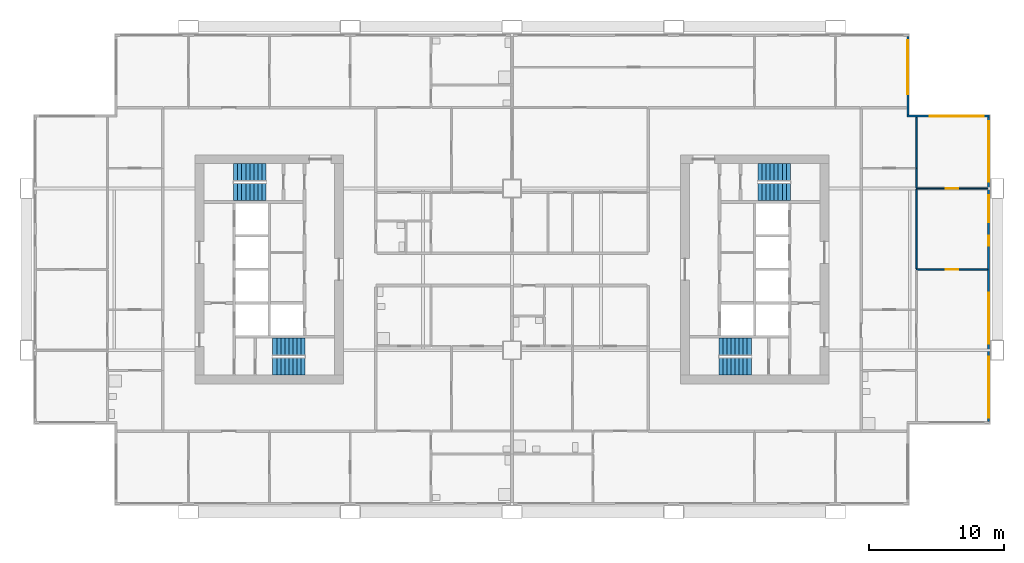
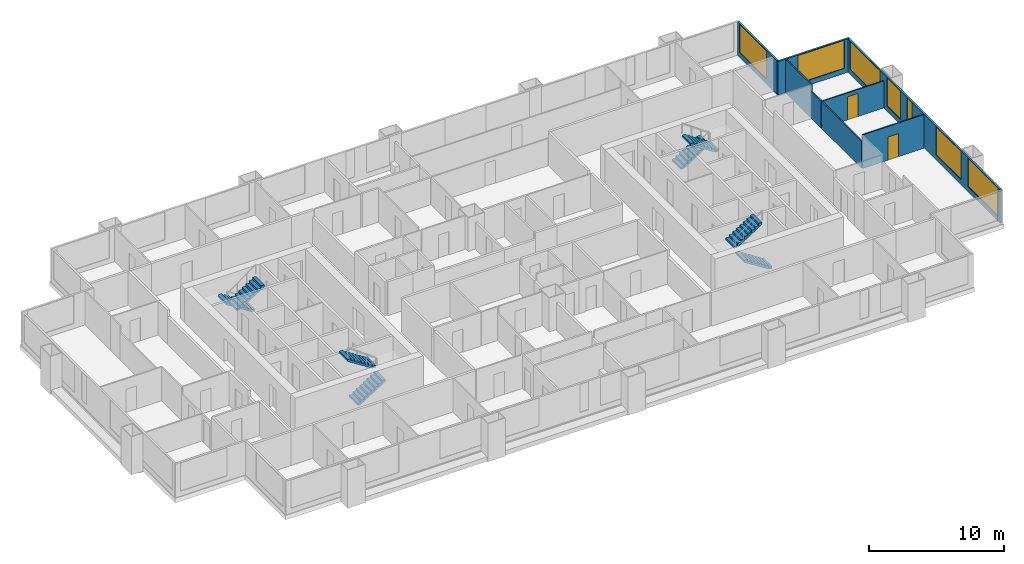
# One storey, part 9 of 11: 8 stair flights, 8 walls, 7 windows, 2 doors, 9 openings, 4 elements without a shape of their own.
"""IFC4 building model written with IfcOpenShell, lengths in metres."""

from ifc_helpers import new_model, si_unit, direction, frame, frame_2d, origin, place, context, subcontext, project, spatial, polyline, rectangle, outline, extrude, material, layer, layer_set, type_object, element, fill, aggregate, save


model = new_model("IFC4")

# Units and contexts
model_context = context("Model", 3, precision=1e-05, world=origin(), true_north=direction((0.0, 1.0)))
body_context = subcontext(model_context, "Body", "Model", "MODEL_VIEW")
ifc_project = project(units=[si_unit("LENGTHUNIT", "METRE"), si_unit("AREAUNIT", "SQUARE_METRE"), si_unit("VOLUMEUNIT", "CUBIC_METRE"), si_unit("PLANEANGLEUNIT", "RADIAN"), si_unit("MASSUNIT", "GRAM", prefix="KILO")], contexts=[model_context])

# Site, building, storey
site_placement = place(None, origin())
site = spatial("IfcSite", under=ifc_project, at=site_placement, CompositionType="ELEMENT")
building_placement = place(site_placement, origin())
building = spatial("IfcBuilding", under=site, at=building_placement, Name="Kitamizu Gate Tower and Museum", CompositionType="ELEMENT")
storey_placement = place(building_placement, frame((0.0, 0.0, 103.5)))
storey = spatial("IfcBuildingStorey", under=building, at=storey_placement, Name="L26", CompositionType="ELEMENT", Elevation=103.5)

# Wall, opening, door
ifc_material_1 = material(Name="Gypsum board on galvanised stud")
ifc_layer_1 = layer(ifc_material_1, 0.10009765625)
ifc_layer_set_1 = layer_set([ifc_layer_1], Name="Gypsum board on galvanised stud")
wall_type_1 = type_object("IfcWallType", Name="Partition 100 NOT RATED", PredefinedType="PARTITIONING", material=ifc_layer_set_1)
wall_1_placement = place(storey_placement, frame((71.280029296875, 30.0, 0.0), z_axis=(0.0, 0.0, 1.0), x_axis=(-1.0, 0.0, 0.0)))
wall_1 = element("IfcWall", 1, at=wall_1_placement, inside=storey, type_object=wall_type_1, Name="Partition L26-074", PredefinedType="PARTITIONING", context=body_context, shape_type="SweptSolid", body=[
    extrude(rectangle(XDim=5.280029296875, YDim=0.10009765625, at=frame_2d((2.64013671875, 0.0))), origin(), (0.0, 0.0, 1.0), 3.050048828125),
])
opening_1_placement = place(wall_1_placement, frame((2.18994140625, 0.0, 0.0)))
opening_1 = element("IfcOpeningElement", 2, at=opening_1_placement, cuts=wall_1, Name="Opening L26-032", PredefinedType="OPENING", context=body_context, shape_type="SweptSolid", body=[
    extrude(rectangle(XDim=0.89990234375, YDim=2.10009765625, at=frame_2d((0.449951171875, 1.050048828125))), frame((0.0, 0.06005859375, 0.0), z_axis=(0.0, -1.0, 0.0), x_axis=(1.0, 0.0, 0.0)), (0.0, 0.0, 1.0), 0.1201171875),
])
ifc_material_2 = material(Name="Timber door set", Category="wood")
door_type = type_object("IfcDoorType", Name="Room door 900", OperationType="NOTDEFINED", PredefinedType="DOOR", material=ifc_material_2)
door_1_placement = place(opening_1_placement, frame((0.89990234375, 0.0, 0.0), x_axis=(-1.0, 0.0, 0.0)))
door_1 = element("IfcDoor", 3, at=door_1_placement, inside=storey, type_object=door_type, Name="Door L26-032", OperationType="SINGLE_SWING_LEFT", OverallHeight=2.10009765625, OverallWidth=0.89990234375, PredefinedType="DOOR", context=body_context, shape_type="SweptSolid", body=[
    extrude(rectangle(XDim=0.89990234375, YDim=2.10009765625, at=frame_2d((0.449951171875, 1.050048828125))), frame((0.0, 0.02490234375, 0.0), z_axis=(0.0, -1.0, 0.0), x_axis=(1.0, 0.0, 0.0)), (0.0, 0.0, 1.0), 0.050048828125),
])
fill(opening_1, door_1)

wall_2_placement = place(storey_placement, frame((71.280029296875, 36.0, 0.0), z_axis=(0.0, 0.0, 1.0), x_axis=(-1.0, 0.0, 0.0)))
wall_2 = element("IfcWall", 4, at=wall_2_placement, inside=storey, type_object=wall_type_1, Name="Partition L26-079", PredefinedType="PARTITIONING", context=body_context, shape_type="SweptSolid", body=[
    extrude(rectangle(XDim=5.280029296875, YDim=0.10009765625, at=frame_2d((2.64013671875, 0.0))), origin(), (0.0, 0.0, 1.0), 2.449951171875),
])
opening_2_placement = place(wall_2_placement, frame((2.18994140625, 0.0, 0.0)))
opening_2 = element("IfcOpeningElement", 5, at=opening_2_placement, cuts=wall_2, Name="Opening L26-034", PredefinedType="OPENING", context=body_context, shape_type="SweptSolid", body=[
    extrude(rectangle(XDim=0.89990234375, YDim=2.10009765625, at=frame_2d((0.449951171875, 1.050048828125))), frame((0.0, 0.06005859375, 0.0), z_axis=(0.0, -1.0, 0.0), x_axis=(1.0, 0.0, 0.0)), (0.0, 0.0, 1.0), 0.1201171875),
])
door_2_placement = place(opening_2_placement, frame((0.89990234375, 0.0, 0.0), x_axis=(-1.0, 0.0, 0.0)))
door_2 = element("IfcDoor", 6, at=door_2_placement, inside=storey, type_object=door_type, Name="Door L26-034", OperationType="SINGLE_SWING_LEFT", OverallHeight=2.10009765625, OverallWidth=0.89990234375, PredefinedType="DOOR", context=body_context, shape_type="SweptSolid", body=[
    extrude(rectangle(XDim=0.89990234375, YDim=2.10009765625, at=frame_2d((0.449951171875, 1.050048828125))), frame((0.0, 0.02490234375, 0.0), z_axis=(0.0, -1.0, 0.0), x_axis=(1.0, 0.0, 0.0)), (0.0, 0.0, 1.0), 0.050048828125),
])
fill(opening_2, door_2)

# Walls
wall_3_placement = place(storey_placement, frame((66.0, 35.949951171875, 0.0), z_axis=(0.0, 0.0, 1.0), x_axis=(0.0, -1.0, 0.0)))
element("IfcWall", 7, at=wall_3_placement, inside=storey, type_object=wall_type_1, Name="Partition L26-080", PredefinedType="PARTITIONING", context=body_context, shape_type="SweptSolid", body=[
    extrude(rectangle(XDim=5.89990234375, YDim=0.10009765625, at=frame_2d((2.949951171875, 0.0))), origin(), (0.0, 0.0, 1.0), 2.449951171875),
])
wall_4_placement = place(storey_placement, frame((66.0, 37.5, 0.0), z_axis=(0.0, 0.0, 1.0), x_axis=(0.0, -1.0, 0.0)))
element("IfcWall", 8, at=wall_4_placement, inside=storey, type_object=wall_type_1, Name="Partition L26-081", PredefinedType="PARTITIONING", context=body_context, shape_type="SweptSolid", body=[
    extrude(rectangle(XDim=1.449951171875, YDim=0.10009765625, at=frame_2d((0.72509765625, 0.0))), origin(), (0.0, 0.0, 1.0), 2.449951171875),
])
wall_5_placement = place(storey_placement, frame((66.0, 41.280029296875, 0.0), z_axis=(0.0, 0.0, 1.0), x_axis=(0.0, -1.0, 0.0)))
element("IfcWall", 9, at=wall_5_placement, inside=storey, type_object=wall_type_1, Name="Partition L26-082", PredefinedType="PARTITIONING", context=body_context, shape_type="SweptSolid", body=[
    extrude(rectangle(XDim=3.780029296875, YDim=0.10009765625, at=frame_2d((1.89013671875, 0.0))), origin(), (0.0, 0.0, 1.0), 3.050048828125),
])

# Wall, openings, windows
ifc_material_3 = material(Name="Bronze anodised aluminium frame with insulated spandrel and tinted glass", Category="aluminium")
ifc_layer_2 = layer(ifc_material_3, 0.14990234375)
ifc_layer_set_2 = layer_set([ifc_layer_2], Name="Bronze anodised aluminium frame with insulated spandrel and tinted glass")
wall_type_2 = type_object("IfcWallType", Name="WINDOW WALL 150 BRONZE FRAME EI 30", PredefinedType="ELEMENTEDWALL", material=ifc_layer_set_2)
wall_6_placement = place(storey_placement, frame((71.364990234375, 18.7099609375, 0.0), z_axis=(0.0, 0.0, 1.0), x_axis=(0.0, 1.0, 0.0)))
wall_6 = element("IfcWall", 10, at=wall_6_placement, inside=storey, type_object=wall_type_2, Name="Window wall east L26", PredefinedType="ELEMENTEDWALL", context=body_context, shape_type="SweptSolid", body=[
    extrude(rectangle(XDim=22.580078125, YDim=0.14990234375, at=frame_2d((11.2900390625, 0.0))), origin(), (0.0, 0.0, 1.0), 3.050048828125),
])
opening_3_placement = place(wall_6_placement, frame((0.2900390625, 0.0, 0.449951171875)))
opening_3 = element("IfcOpeningElement", 11, at=opening_3_placement, cuts=wall_6, Name="Opening W15", PredefinedType="OPENING", context=body_context, shape_type="SweptSolid", body=[
    extrude(rectangle(XDim=4.5, YDim=2.550048828125, at=frame_2d((2.25, 1.27490234375))), frame((0.0, 0.0849609375, 0.0), z_axis=(0.0, -1.0, 0.0), x_axis=(1.0, 0.0, 0.0)), (0.0, 0.0, 1.0), 0.169921875),
])
opening_4_placement = place(wall_6_placement, frame((5.7900390625, 0.0, 0.449951171875)))
opening_4 = element("IfcOpeningElement", 12, at=opening_4_placement, cuts=wall_6, Name="Opening W36", PredefinedType="OPENING", context=body_context, shape_type="SweptSolid", body=[
    extrude(rectangle(XDim=3.75, YDim=2.550048828125, at=frame_2d((1.875, 1.27490234375))), frame((0.0, 0.0849609375, 0.0), z_axis=(0.0, -1.0, 0.0), x_axis=(1.0, 0.0, 0.0)), (0.0, 0.0, 1.0), 0.169921875),
])
opening_5_placement = place(wall_6_placement, frame((13.0400390625, 0.0, 0.449951171875)))
opening_5 = element("IfcOpeningElement", 13, at=opening_5_placement, cuts=wall_6, Name="Opening W25", PredefinedType="OPENING", context=body_context, shape_type="SweptSolid", body=[
    extrude(rectangle(XDim=0.75, YDim=2.550048828125, at=frame_2d((0.375, 1.27490234375))), frame((0.0, 0.0849609375, 0.0), z_axis=(0.0, -1.0, 0.0), x_axis=(1.0, 0.0, 0.0)), (0.0, 0.0, 1.0), 0.169921875),
])
opening_6_placement = place(wall_6_placement, frame((14.7900390625, 0.0, 0.449951171875)))
opening_6 = element("IfcOpeningElement", 14, at=opening_6_placement, cuts=wall_6, Name="Opening W2", PredefinedType="OPENING", context=body_context, shape_type="SweptSolid", body=[
    extrude(rectangle(XDim=2.0, YDim=2.550048828125, at=frame_2d((1.0, 1.27490234375))), frame((0.0, 0.0849609375, 0.0), z_axis=(0.0, -1.0, 0.0), x_axis=(1.0, 0.0, 0.0)), (0.0, 0.0, 1.0), 0.169921875),
])
opening_7_placement = place(wall_6_placement, frame((17.7900390625, 0.0, 0.449951171875)))
opening_7 = element("IfcOpeningElement", 15, at=opening_7_placement, cuts=wall_6, Name="Opening W15", PredefinedType="OPENING", context=body_context, shape_type="SweptSolid", body=[
    extrude(rectangle(XDim=4.5, YDim=2.550048828125, at=frame_2d((2.25, 1.27490234375))), frame((0.0, 0.0849609375, 0.0), z_axis=(0.0, -1.0, 0.0), x_axis=(1.0, 0.0, 0.0)), (0.0, 0.0, 1.0), 0.169921875),
])
ifc_material_4 = material(Name="Bronze anodised aluminium frame, tinted triple glazing", Category="aluminium")
window_type_1 = type_object("IfcWindowType", Name="WINDOW 2000 x 2550 SILL 450", PartitioningType="SINGLE_PANEL", PredefinedType="WINDOW", material=ifc_material_4)
window_1_placement = place(opening_6_placement, origin())
window_1 = element("IfcWindow", 16, at=window_1_placement, inside=storey, type_object=window_type_1, Name="Window W2 L26", OverallHeight=2.550048828125, OverallWidth=2.0, PartitioningType="SINGLE_PANEL", PredefinedType="WINDOW", context=body_context, shape_type="SweptSolid", body=[
    extrude(rectangle(XDim=2.0, YDim=2.550048828125, at=frame_2d((1.0, 1.27490234375))), frame((0.0, 0.030029296875, 0.0), z_axis=(0.0, -1.0, 0.0), x_axis=(1.0, 0.0, 0.0)), (0.0, 0.0, 1.0), 0.06005859375),
])
fill(opening_6, window_1)
ifc_material_5 = material(Name="Bronze anodised aluminium frame, tinted triple glazing", Category="aluminium")
window_type_2 = type_object("IfcWindowType", Name="WINDOW 3750 x 2550 SILL 450", PartitioningType="SINGLE_PANEL", PredefinedType="WINDOW", material=ifc_material_5)
window_2_placement = place(opening_4_placement, origin())
window_2 = element("IfcWindow", 17, at=window_2_placement, inside=storey, type_object=window_type_2, Name="Window W36 L26", OverallHeight=2.550048828125, OverallWidth=3.75, PartitioningType="SINGLE_PANEL", PredefinedType="WINDOW", context=body_context, shape_type="SweptSolid", body=[
    extrude(rectangle(XDim=3.75, YDim=2.550048828125, at=frame_2d((1.875, 1.27490234375))), frame((0.0, 0.030029296875, 0.0), z_axis=(0.0, -1.0, 0.0), x_axis=(1.0, 0.0, 0.0)), (0.0, 0.0, 1.0), 0.06005859375),
])
fill(opening_4, window_2)
ifc_material_6 = material(Name="Bronze anodised aluminium frame, tinted triple glazing", Category="aluminium")
window_type_3 = type_object("IfcWindowType", Name="WINDOW 4500 x 2550 SILL 450", PartitioningType="SINGLE_PANEL", PredefinedType="WINDOW", material=ifc_material_6)
window_3_placement = place(opening_3_placement, origin())
window_3 = element("IfcWindow", 18, at=window_3_placement, inside=storey, type_object=window_type_3, Name="Window W15 L26", OverallHeight=2.550048828125, OverallWidth=4.5, PartitioningType="SINGLE_PANEL", PredefinedType="WINDOW", context=body_context, shape_type="SweptSolid", body=[
    extrude(rectangle(XDim=4.5, YDim=2.550048828125, at=frame_2d((2.25, 1.27490234375))), frame((0.0, 0.030029296875, 0.0), z_axis=(0.0, -1.0, 0.0), x_axis=(1.0, 0.0, 0.0)), (0.0, 0.0, 1.0), 0.06005859375),
])
fill(opening_3, window_3)
window_4_placement = place(opening_7_placement, origin())
window_4 = element("IfcWindow", 19, at=window_4_placement, inside=storey, type_object=window_type_3, Name="Window W15 L26", OverallHeight=2.550048828125, OverallWidth=4.5, PartitioningType="SINGLE_PANEL", PredefinedType="WINDOW", context=body_context, shape_type="SweptSolid", body=[
    extrude(rectangle(XDim=4.5, YDim=2.550048828125, at=frame_2d((2.25, 1.27490234375))), frame((0.0, 0.030029296875, 0.0), z_axis=(0.0, -1.0, 0.0), x_axis=(1.0, 0.0, 0.0)), (0.0, 0.0, 1.0), 0.06005859375),
])
fill(opening_7, window_4)
ifc_material_7 = material(Name="Bronze anodised aluminium frame, tinted triple glazing", Category="aluminium")
window_type_4 = type_object("IfcWindowType", Name="WINDOW 750 x 2550 SILL 450", PartitioningType="SINGLE_PANEL", PredefinedType="WINDOW", material=ifc_material_7)
window_5_placement = place(opening_5_placement, origin())
window_5 = element("IfcWindow", 20, at=window_5_placement, inside=storey, type_object=window_type_4, Name="Window W25 L26", OverallHeight=2.550048828125, OverallWidth=0.75, PartitioningType="SINGLE_PANEL", PredefinedType="WINDOW", context=body_context, shape_type="SweptSolid", body=[
    extrude(rectangle(XDim=0.75, YDim=2.550048828125, at=frame_2d((0.375, 1.27490234375))), frame((0.0, 0.030029296875, 0.0), z_axis=(0.0, -1.0, 0.0), x_axis=(1.0, 0.0, 0.0)), (0.0, 0.0, 1.0), 0.06005859375),
])
fill(opening_5, window_5)

# Wall, opening, window
wall_7_placement = place(storey_placement, frame((65.2900390625, 41.364990234375, 0.0), z_axis=(0.0, 0.0, 1.0), x_axis=(1.0, 0.0, 0.0)))
wall_7 = element("IfcWall", 21, at=wall_7_placement, inside=storey, type_object=wall_type_2, Name="Window wall north L26", PredefinedType="ELEMENTEDWALL", context=body_context, shape_type="SweptSolid", body=[
    extrude(rectangle(XDim=6.14990234375, YDim=0.14990234375, at=frame_2d((3.074951171875, 0.0))), origin(), (0.0, 0.0, 1.0), 3.050048828125),
])
opening_8_placement = place(wall_7_placement, frame((1.7099609375, 0.0, 0.449951171875)))
opening_8 = element("IfcOpeningElement", 22, at=opening_8_placement, cuts=wall_7, Name="Opening W16", PredefinedType="OPENING", context=body_context, shape_type="SweptSolid", body=[
    extrude(rectangle(XDim=4.0, YDim=2.550048828125, at=frame_2d((2.0, 1.27490234375))), frame((0.0, 0.0849609375, 0.0), z_axis=(0.0, -1.0, 0.0), x_axis=(1.0, 0.0, 0.0)), (0.0, 0.0, 1.0), 0.169921875),
])
ifc_material_8 = material(Name="Bronze anodised aluminium frame, tinted triple glazing", Category="aluminium")
window_type_5 = type_object("IfcWindowType", Name="WINDOW 4000 x 2550 SILL 450", PartitioningType="SINGLE_PANEL", PredefinedType="WINDOW", material=ifc_material_8)
window_6_placement = place(opening_8_placement, origin())
window_6 = element("IfcWindow", 23, at=window_6_placement, inside=storey, type_object=window_type_5, Name="Window W16 L26", OverallHeight=2.550048828125, OverallWidth=4.0, PartitioningType="SINGLE_PANEL", PredefinedType="WINDOW", context=body_context, shape_type="SweptSolid", body=[
    extrude(rectangle(XDim=4.0, YDim=2.550048828125, at=frame_2d((2.0, 1.27490234375))), frame((0.0, 0.030029296875, 0.0), z_axis=(0.0, -1.0, 0.0), x_axis=(1.0, 0.0, 0.0)), (0.0, 0.0, 1.0), 0.06005859375),
])
fill(opening_8, window_6)

wall_8_placement = place(storey_placement, frame((65.364990234375, 41.43994140625, 0.0), z_axis=(0.0, 0.0, 1.0), x_axis=(0.0, 1.0, 0.0)))
wall_8 = element("IfcWall", 24, at=wall_8_placement, inside=storey, type_object=wall_type_2, Name="Window wall east L26", PredefinedType="ELEMENTEDWALL", context=body_context, shape_type="SweptSolid", body=[
    extrude(rectangle(XDim=5.85009765625, YDim=0.14990234375, at=frame_2d((2.925048828125, 0.0))), origin(), (0.0, 0.0, 1.0), 3.050048828125),
])
opening_9_placement = place(wall_8_placement, frame((1.56005859375, 0.0, 0.449951171875)))
opening_9 = element("IfcOpeningElement", 25, at=opening_9_placement, cuts=wall_8, Name="Opening W16", PredefinedType="OPENING", context=body_context, shape_type="SweptSolid", body=[
    extrude(rectangle(XDim=4.0, YDim=2.550048828125, at=frame_2d((2.0, 1.27490234375))), frame((0.0, 0.0849609375, 0.0), z_axis=(0.0, -1.0, 0.0), x_axis=(1.0, 0.0, 0.0)), (0.0, 0.0, 1.0), 0.169921875),
])
window_7_placement = place(opening_9_placement, origin())
window_7 = element("IfcWindow", 26, at=window_7_placement, inside=storey, type_object=window_type_5, Name="Window W16 L26", OverallHeight=2.550048828125, OverallWidth=4.0, PartitioningType="SINGLE_PANEL", PredefinedType="WINDOW", context=body_context, shape_type="SweptSolid", body=[
    extrude(rectangle(XDim=4.0, YDim=2.550048828125, at=frame_2d((2.0, 1.27490234375))), frame((0.0, 0.030029296875, 0.0), z_axis=(0.0, -1.0, 0.0), x_axis=(1.0, 0.0, 0.0)), (0.0, 0.0, 1.0), 0.06005859375),
])
fill(opening_9, window_7)

# Stair, stair flights
ifc_material_9 = material(Name="Concrete Fc42", Category="concrete")
stair_type = type_object("IfcStairType", Name="Exit stair 1275 wide 192 rise 300 going", PredefinedType="HALF_TURN_STAIR", material=ifc_material_9)
stair_1_placement = place(storey_placement, origin())
stair_1 = element("IfcStair", 27, at=stair_1_placement, inside=storey, type_object=stair_type, Name="Exit stair ST1", PredefinedType="HALF_TURN_STAIR")
ifc_material_10 = material(Name="Concrete Fc42", Category="concrete")
stair_flight_type = type_object("IfcStairFlightType", Name="Stair flight 1275 wide 192 rise 300 going", PredefinedType="STRAIGHT", material=ifc_material_10)
stair_flight_1_placement = place(storey_placement, frame((18.25, 22.78759765625, 0.0), z_axis=(0.0, 0.0, 1.0), x_axis=(1.0, 0.0, 0.0)))
stair_flight_1 = element("IfcStairFlight", 28, at=stair_flight_1_placement, type_object=stair_flight_type, Name="ST1 flight 1", NumberOfRisers=9, NumberOfTreads=8, PredefinedType="STRAIGHT", RiserHeight=0.191666667, TreadLength=0.3, context=body_context, shape_type="SweptSolid", body=[
    extrude(outline(polyline([(0.0, 0.0), (0.0, 0.191650390625), (0.300048828125, 0.191650390625), (0.300048828125, 0.38330078125), (0.60009765625, 0.38330078125), (0.60009765625, 0.574951171875), (0.89990234375, 0.574951171875), (0.89990234375, 0.7666015625), (1.199951171875, 0.7666015625), (1.199951171875, 0.958251953125), (1.5, 0.958251953125), (1.5, 1.14990234375), (1.800048828125, 1.14990234375), (1.800048828125, 1.341552734375), (2.10009765625, 1.341552734375), (2.10009765625, 1.533447265625), (2.39990234375, 1.533447265625), (2.39990234375, 1.72509765625), (2.39990234375, 1.35546875), (0.2783203125, 0.0), (0.0, 0.0)])), frame((0.0, 0.637451171875, 0.0), z_axis=(0.0, -1.0, 0.0), x_axis=(1.0, 0.0, 0.0)), (0.0, 0.0, 1.0), 1.27490234375),
])
stair_flight_2_placement = place(storey_placement, frame((20.64990234375, 24.262451171875, 1.72509765625), z_axis=(0.0, 0.0, 1.0), x_axis=(-1.0, 0.0, 0.0)))
stair_flight_2 = element("IfcStairFlight", 29, at=stair_flight_2_placement, type_object=stair_flight_type, Name="ST1 flight 2", NumberOfRisers=9, NumberOfTreads=8, PredefinedType="STRAIGHT", RiserHeight=0.191666667, TreadLength=0.3, context=body_context, shape_type="SweptSolid", body=[
    extrude(outline(polyline([(0.0, 0.0), (0.0, 0.191650390625), (0.300048828125, 0.191650390625), (0.300048828125, 0.38330078125), (0.60009765625, 0.38330078125), (0.60009765625, 0.574951171875), (0.89990234375, 0.574951171875), (0.89990234375, 0.7666015625), (1.199951171875, 0.7666015625), (1.199951171875, 0.958251953125), (1.5, 0.958251953125), (1.5, 1.14990234375), (1.800048828125, 1.14990234375), (1.800048828125, 1.341552734375), (2.10009765625, 1.341552734375), (2.10009765625, 1.533447265625), (2.39990234375, 1.533447265625), (2.39990234375, 1.72509765625), (2.39990234375, 1.35546875), (0.2783203125, 0.0), (0.0, 0.0)])), frame((0.0, 0.637451171875, 0.0), z_axis=(0.0, -1.0, 0.0), x_axis=(1.0, 0.0, 0.0)), (0.0, 0.0, 1.0), 1.27490234375),
])
aggregate(stair_1, [stair_flight_1, stair_flight_2])

stair_2_placement = place(storey_placement, origin())
stair_2 = element("IfcStair", 30, at=stair_2_placement, inside=storey, type_object=stair_type, Name="Exit stair ST2", PredefinedType="HALF_TURN_STAIR")
stair_flight_3_placement = place(storey_placement, frame((17.75, 37.21240234375, 0.0), z_axis=(0.0, 0.0, 1.0), x_axis=(-1.0, 0.0, 0.0)))
stair_flight_3 = element("IfcStairFlight", 31, at=stair_flight_3_placement, type_object=stair_flight_type, Name="ST2 flight 1", NumberOfRisers=9, NumberOfTreads=8, PredefinedType="STRAIGHT", RiserHeight=0.191666667, TreadLength=0.3, context=body_context, shape_type="SweptSolid", body=[
    extrude(outline(polyline([(0.0, 0.0), (0.0, 0.191650390625), (0.300048828125, 0.191650390625), (0.300048828125, 0.38330078125), (0.60009765625, 0.38330078125), (0.60009765625, 0.574951171875), (0.89990234375, 0.574951171875), (0.89990234375, 0.7666015625), (1.199951171875, 0.7666015625), (1.199951171875, 0.958251953125), (1.5, 0.958251953125), (1.5, 1.14990234375), (1.800048828125, 1.14990234375), (1.800048828125, 1.341552734375), (2.10009765625, 1.341552734375), (2.10009765625, 1.533447265625), (2.39990234375, 1.533447265625), (2.39990234375, 1.72509765625), (2.39990234375, 1.35546875), (0.2783203125, 0.0), (0.0, 0.0)])), frame((0.0, 0.637451171875, 0.0), z_axis=(0.0, -1.0, 0.0), x_axis=(1.0, 0.0, 0.0)), (0.0, 0.0, 1.0), 1.27490234375),
])
stair_flight_4_placement = place(storey_placement, frame((15.35009765625, 35.737548828125, 1.72509765625), z_axis=(0.0, 0.0, 1.0), x_axis=(1.0, 0.0, 0.0)))
stair_flight_4 = element("IfcStairFlight", 32, at=stair_flight_4_placement, type_object=stair_flight_type, Name="ST2 flight 2", NumberOfRisers=9, NumberOfTreads=8, PredefinedType="STRAIGHT", RiserHeight=0.191666667, TreadLength=0.3, context=body_context, shape_type="SweptSolid", body=[
    extrude(outline(polyline([(0.0, 0.0), (0.0, 0.191650390625), (0.300048828125, 0.191650390625), (0.300048828125, 0.38330078125), (0.60009765625, 0.38330078125), (0.60009765625, 0.574951171875), (0.89990234375, 0.574951171875), (0.89990234375, 0.7666015625), (1.199951171875, 0.7666015625), (1.199951171875, 0.958251953125), (1.5, 0.958251953125), (1.5, 1.14990234375), (1.800048828125, 1.14990234375), (1.800048828125, 1.341552734375), (2.10009765625, 1.341552734375), (2.10009765625, 1.533447265625), (2.39990234375, 1.533447265625), (2.39990234375, 1.72509765625), (2.39990234375, 1.35546875), (0.2783203125, 0.0), (0.0, 0.0)])), frame((0.0, 0.637451171875, 0.0), z_axis=(0.0, -1.0, 0.0), x_axis=(1.0, 0.0, 0.0)), (0.0, 0.0, 1.0), 1.27490234375),
])
aggregate(stair_2, [stair_flight_3, stair_flight_4])

stair_3_placement = place(storey_placement, origin())
stair_3 = element("IfcStair", 33, at=stair_3_placement, inside=storey, type_object=stair_type, Name="Exit stair ST3", PredefinedType="HALF_TURN_STAIR")
stair_flight_5_placement = place(storey_placement, frame((53.75, 22.78759765625, 0.0), z_axis=(0.0, 0.0, 1.0), x_axis=(-1.0, 0.0, 0.0)))
stair_flight_5 = element("IfcStairFlight", 34, at=stair_flight_5_placement, type_object=stair_flight_type, Name="ST3 flight 1", NumberOfRisers=9, NumberOfTreads=8, PredefinedType="STRAIGHT", RiserHeight=0.191666667, TreadLength=0.3, context=body_context, shape_type="SweptSolid", body=[
    extrude(outline(polyline([(0.0, 0.0), (0.0, 0.191650390625), (0.300048828125, 0.191650390625), (0.300048828125, 0.38330078125), (0.60009765625, 0.38330078125), (0.60009765625, 0.574951171875), (0.89990234375, 0.574951171875), (0.89990234375, 0.7666015625), (1.199951171875, 0.7666015625), (1.199951171875, 0.958251953125), (1.5, 0.958251953125), (1.5, 1.14990234375), (1.800048828125, 1.14990234375), (1.800048828125, 1.341552734375), (2.10009765625, 1.341552734375), (2.10009765625, 1.533447265625), (2.39990234375, 1.533447265625), (2.39990234375, 1.72509765625), (2.39990234375, 1.35546875), (0.2783203125, 0.0), (0.0, 0.0)])), frame((0.0, 0.637451171875, 0.0), z_axis=(0.0, -1.0, 0.0), x_axis=(1.0, 0.0, 0.0)), (0.0, 0.0, 1.0), 1.27490234375),
])
stair_flight_6_placement = place(storey_placement, frame((51.35009765625, 24.262451171875, 1.72509765625), z_axis=(0.0, 0.0, 1.0), x_axis=(1.0, 0.0, 0.0)))
stair_flight_6 = element("IfcStairFlight", 35, at=stair_flight_6_placement, type_object=stair_flight_type, Name="ST3 flight 2", NumberOfRisers=9, NumberOfTreads=8, PredefinedType="STRAIGHT", RiserHeight=0.191666667, TreadLength=0.3, context=body_context, shape_type="SweptSolid", body=[
    extrude(outline(polyline([(0.0, 0.0), (0.0, 0.191650390625), (0.300048828125, 0.191650390625), (0.300048828125, 0.38330078125), (0.60009765625, 0.38330078125), (0.60009765625, 0.574951171875), (0.89990234375, 0.574951171875), (0.89990234375, 0.7666015625), (1.199951171875, 0.7666015625), (1.199951171875, 0.958251953125), (1.5, 0.958251953125), (1.5, 1.14990234375), (1.800048828125, 1.14990234375), (1.800048828125, 1.341552734375), (2.10009765625, 1.341552734375), (2.10009765625, 1.533447265625), (2.39990234375, 1.533447265625), (2.39990234375, 1.72509765625), (2.39990234375, 1.35546875), (0.2783203125, 0.0), (0.0, 0.0)])), frame((0.0, 0.637451171875, 0.0), z_axis=(0.0, -1.0, 0.0), x_axis=(1.0, 0.0, 0.0)), (0.0, 0.0, 1.0), 1.27490234375),
])
aggregate(stair_3, [stair_flight_5, stair_flight_6])

stair_4_placement = place(storey_placement, origin())
stair_4 = element("IfcStair", 36, at=stair_4_placement, inside=storey, type_object=stair_type, Name="Exit stair ST4", PredefinedType="HALF_TURN_STAIR")
stair_flight_7_placement = place(storey_placement, frame((54.25, 37.21240234375, 0.0), z_axis=(0.0, 0.0, 1.0), x_axis=(1.0, 0.0, 0.0)))
stair_flight_7 = element("IfcStairFlight", 37, at=stair_flight_7_placement, type_object=stair_flight_type, Name="ST4 flight 1", NumberOfRisers=9, NumberOfTreads=8, PredefinedType="STRAIGHT", RiserHeight=0.191666667, TreadLength=0.3, context=body_context, shape_type="SweptSolid", body=[
    extrude(outline(polyline([(0.0, 0.0), (0.0, 0.191650390625), (0.300048828125, 0.191650390625), (0.300048828125, 0.38330078125), (0.60009765625, 0.38330078125), (0.60009765625, 0.574951171875), (0.89990234375, 0.574951171875), (0.89990234375, 0.7666015625), (1.199951171875, 0.7666015625), (1.199951171875, 0.958251953125), (1.5, 0.958251953125), (1.5, 1.14990234375), (1.800048828125, 1.14990234375), (1.800048828125, 1.341552734375), (2.10009765625, 1.341552734375), (2.10009765625, 1.533447265625), (2.39990234375, 1.533447265625), (2.39990234375, 1.72509765625), (2.39990234375, 1.35546875), (0.2783203125, 0.0), (0.0, 0.0)])), frame((0.0, 0.637451171875, 0.0), z_axis=(0.0, -1.0, 0.0), x_axis=(1.0, 0.0, 0.0)), (0.0, 0.0, 1.0), 1.27490234375),
])
stair_flight_8_placement = place(storey_placement, frame((56.64990234375, 35.737548828125, 1.72509765625), z_axis=(0.0, 0.0, 1.0), x_axis=(-1.0, 0.0, 0.0)))
stair_flight_8 = element("IfcStairFlight", 38, at=stair_flight_8_placement, type_object=stair_flight_type, Name="ST4 flight 2", NumberOfRisers=9, NumberOfTreads=8, PredefinedType="STRAIGHT", RiserHeight=0.191666667, TreadLength=0.3, context=body_context, shape_type="SweptSolid", body=[
    extrude(outline(polyline([(0.0, 0.0), (0.0, 0.191650390625), (0.300048828125, 0.191650390625), (0.300048828125, 0.38330078125), (0.60009765625, 0.38330078125), (0.60009765625, 0.574951171875), (0.89990234375, 0.574951171875), (0.89990234375, 0.7666015625), (1.199951171875, 0.7666015625), (1.199951171875, 0.958251953125), (1.5, 0.958251953125), (1.5, 1.14990234375), (1.800048828125, 1.14990234375), (1.800048828125, 1.341552734375), (2.10009765625, 1.341552734375), (2.10009765625, 1.533447265625), (2.39990234375, 1.533447265625), (2.39990234375, 1.72509765625), (2.39990234375, 1.35546875), (0.2783203125, 0.0), (0.0, 0.0)])), frame((0.0, 0.637451171875, 0.0), z_axis=(0.0, -1.0, 0.0), x_axis=(1.0, 0.0, 0.0)), (0.0, 0.0, 1.0), 1.27490234375),
])
aggregate(stair_4, [stair_flight_7, stair_flight_8])

save(model, "model.ifc")
